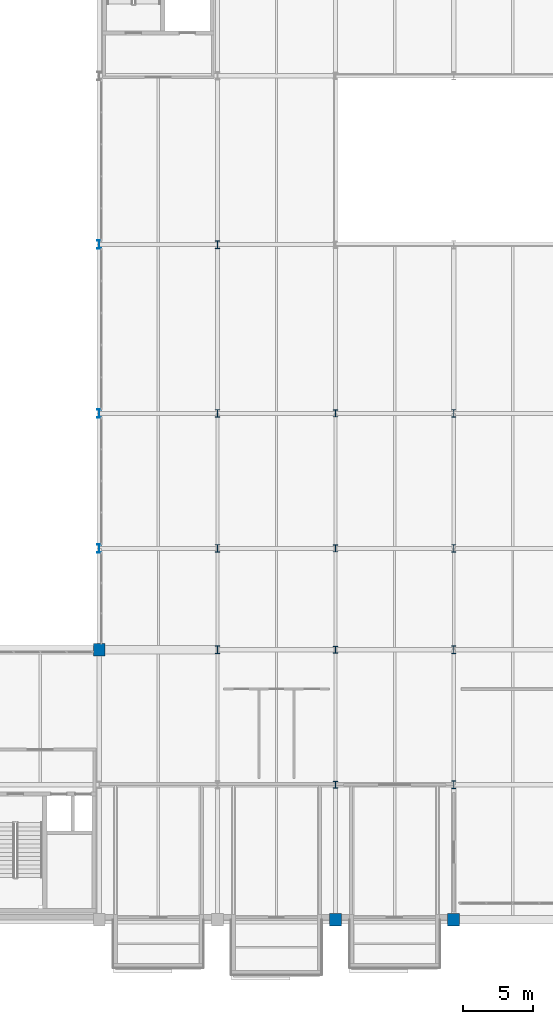
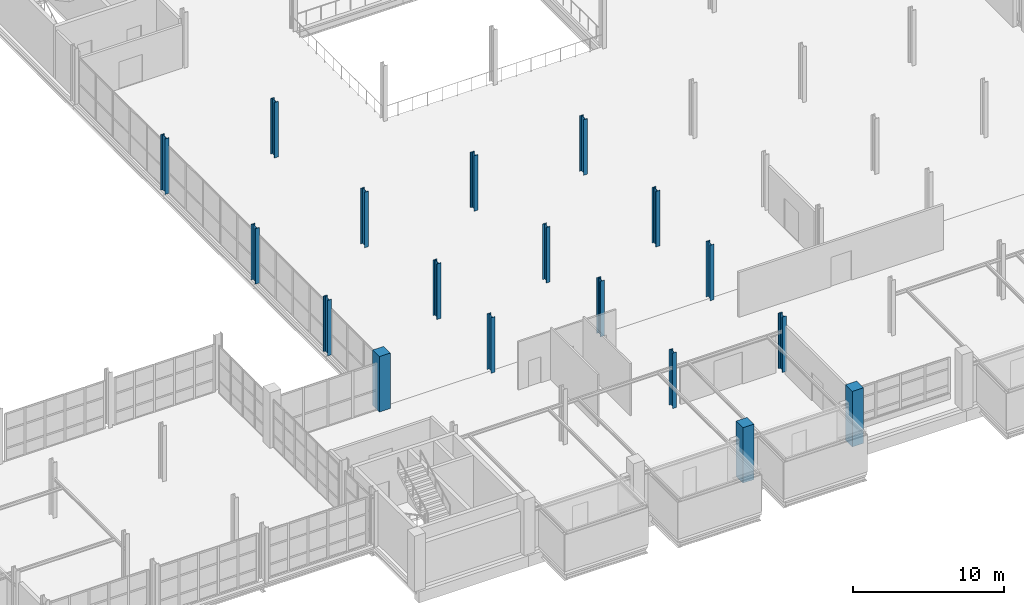
# One storey, part 2 of 109: 18 columns.
"""IFC4 building model written with IfcOpenShell, lengths in metres."""

from ifc_helpers import new_model, si_unit, direction, frame, origin, origin_2d, place, context, subcontext, project, spatial, rectangle, i_section, extrude, material, material_profile, profile_set, type_object, element, save


model = new_model("IFC4")

# Units and contexts
model_context = context("Model", 3, precision=1e-05, world=origin(), true_north=direction((0.0, 1.0)))
body_context = subcontext(model_context, "Body", "Model", "MODEL_VIEW")
ifc_project = project(units=[si_unit("LENGTHUNIT", "METRE"), si_unit("AREAUNIT", "SQUARE_METRE"), si_unit("VOLUMEUNIT", "CUBIC_METRE"), si_unit("PLANEANGLEUNIT", "RADIAN"), si_unit("MASSUNIT", "GRAM", prefix="KILO")], contexts=[model_context])

# Site, building, storey
site_placement = place(None, origin())
site = spatial("IfcSite", under=ifc_project, at=site_placement, CompositionType="ELEMENT")
building_placement = place(site_placement, origin())
building = spatial("IfcBuilding", under=site, at=building_placement, Name="Veltarok Museum of Natural Sciences", CompositionType="ELEMENT")
storey_placement = place(building_placement, frame((0.0, 0.0, 17.39990234375)))
storey = spatial("IfcBuildingStorey", under=building, at=storey_placement, Name="L03", CompositionType="ELEMENT", Elevation=17.39990234375)

# Columns
ifc_material_1 = material(Name="Concrete C40/50", Category="concrete")
ifc_material_profile_1 = material_profile(ifc_material_1, rectangle(XDim=0.85009765625, YDim=0.89990234375, at=origin_2d()), Name="RC 850x900")
ifc_profile_set_1 = profile_set([ifc_material_profile_1], Name="Concrete C40/50")
column_type_1 = type_object("IfcColumnType", Name="Exposed Cabinet Grid Column RC 850x900", PredefinedType="COLUMN", material=ifc_profile_set_1)
for number, where, z_axis, x_axis, name in (
    (1, (40.0, 19.199951171875, 0.0), (0.0, 0.0, 1.0), (1.0, 0.0, 0.0), "Column COL-CAB01 L03 5/C"),
    (2, (56.800048828125, 0.0, 0.0), (0.0, 0.0, 1.0), (1.0, 0.0, 0.0), "Column COL-CAB01 L03 7/A"),
    (3, (65.199951171875, 0.0, 0.0), (0.0, 0.0, 1.0), (1.0, 0.0, 0.0), "Column COL-CAB01 L03 8/A"),
):
    element("IfcColumn", number, at=place(storey_placement, frame(where, z_axis=z_axis, x_axis=x_axis)), inside=storey, type_object=column_type_1, Name=name, PredefinedType="COLUMN", context=body_context, shape_type="SweptSolid", body=[
        extrude(rectangle(XDim=0.85009765625, YDim=0.89990234375, at=origin_2d()), origin(), (0.0, 0.0, 1.0), 4.5),
    ])
ifc_material_2 = material(Name="Steel S355J2", Category="steel")
ifc_material_profile_2 = material_profile(ifc_material_2, i_section(OverallWidth=0.300048828125, OverallDepth=0.550048828125, WebThickness=0.014892578125, FlangeThickness=0.029052734375, FilletRadius=0.027099609375, at=origin_2d()), Name="HEB 550")
ifc_profile_set_2 = profile_set([ifc_material_profile_2], Name="Steel S355J2")
column_type_2 = type_object("IfcColumnType", Name="Mid-Rise Hall Column HEB 550", PredefinedType="COLUMN", material=ifc_profile_set_2)
for number, where, z_axis, x_axis, name in (
    (4, (48.39990234375, 19.199951171875, 0.0), (0.0, 0.0, 1.0), (1.0, 0.0, 0.0), "Column COL-S10 L03 6/C"),
    (5, (48.39990234375, 26.39990234375, 0.0), (0.0, 0.0, 1.0), (1.0, 0.0, 0.0), "Column COL-S10 L03 6/D"),
    (6, (48.39990234375, 36.0, 0.0), (0.0, 0.0, 1.0), (1.0, 0.0, 0.0), "Column COL-S10 L03 6/E"),
    (7, (48.39990234375, 48.0, 0.0), (0.0, 0.0, 1.0), (1.0, 0.0, 0.0), "Column COL-S10 L03 6/F"),
    (8, (65.199951171875, 9.60009765625, 0.0), (0.0, 0.0, 1.0), (1.0, 0.0, 0.0), "Column COL-S10 L03 8/B"),
    (9, (65.199951171875, 19.199951171875, 0.0), (0.0, 0.0, 1.0), (1.0, 0.0, 0.0), "Column COL-S10 L03 8/C"),
    (10, (65.199951171875, 26.39990234375, 0.0), (0.0, 0.0, 1.0), (1.0, 0.0, 0.0), "Column COL-S10 L03 8/D"),
    (11, (65.199951171875, 36.0, 0.0), (0.0, 0.0, 1.0), (1.0, 0.0, 0.0), "Column COL-S10 L03 8/E"),
):
    element("IfcColumn", number, at=place(storey_placement, frame(where, z_axis=z_axis, x_axis=x_axis)), inside=storey, type_object=column_type_2, Name=name, PredefinedType="COLUMN", context=body_context, shape_type="SweptSolid", body=[
        extrude(i_section(OverallWidth=0.300048828125, OverallDepth=0.550048828125, WebThickness=0.014892578125, FlangeThickness=0.029052734375, FilletRadius=0.027099609375, at=origin_2d()), origin(), (0.0, 0.0, 1.0), 4.5),
    ])
ifc_material_profile_3 = material_profile(ifc_material_2, i_section(OverallWidth=0.300048828125, OverallDepth=0.60009765625, WebThickness=0.015380859375, FlangeThickness=0.030029296875, FilletRadius=0.027099609375, at=origin_2d()), Name="HEB 600")
ifc_profile_set_3 = profile_set([ifc_material_profile_3], Name="Steel S355J2")
column_type_3 = type_object("IfcColumnType", Name="Perimeter Passage Column HEB 600", PredefinedType="COLUMN", material=ifc_profile_set_3)
for number, where, z_axis, x_axis, name in (
    (12, (40.0, 26.39990234375, 0.0), (0.0, 0.0, 1.0), (1.0, 0.0, 0.0), "Column COL-EXT02 L03 5/D"),
    (13, (40.0, 36.0, 0.0), (0.0, 0.0, 1.0), (1.0, 0.0, 0.0), "Column COL-EXT02 L03 5/E"),
    (14, (40.0, 48.0, 0.0), (0.0, 0.0, 1.0), (1.0, 0.0, 0.0), "Column COL-EXT02 L03 5/F"),
):
    element("IfcColumn", number, at=place(storey_placement, frame(where, z_axis=z_axis, x_axis=x_axis)), inside=storey, type_object=column_type_3, Name=name, PredefinedType="COLUMN", context=body_context, shape_type="SweptSolid", body=[
        extrude(i_section(OverallWidth=0.300048828125, OverallDepth=0.60009765625, WebThickness=0.015380859375, FlangeThickness=0.030029296875, FilletRadius=0.027099609375, at=origin_2d()), origin(), (0.0, 0.0, 1.0), 4.5),
    ])
ifc_material_profile_4 = material_profile(ifc_material_2, i_section(OverallWidth=0.300048828125, OverallDepth=0.5, WebThickness=0.014404296875, FlangeThickness=0.028076171875, FilletRadius=0.027099609375, at=origin_2d()), Name="HEB 500")
ifc_profile_set_4 = profile_set([ifc_material_profile_4], Name="Steel S355J2")
column_type_4 = type_object("IfcColumnType", Name="Upper Gallery Column HEB 500", PredefinedType="COLUMN", material=ifc_profile_set_4)
for number, where, z_axis, x_axis, name in (
    (15, (56.800048828125, 9.60009765625, 0.0), (0.0, 0.0, 1.0), (1.0, 0.0, 0.0), "Column COL-S05 L03 7/B"),
    (16, (56.800048828125, 19.199951171875, 0.0), (0.0, 0.0, 1.0), (1.0, 0.0, 0.0), "Column COL-S05 L03 7/C"),
    (17, (56.800048828125, 26.39990234375, 0.0), (0.0, 0.0, 1.0), (1.0, 0.0, 0.0), "Column COL-S05 L03 7/D"),
    (18, (56.800048828125, 36.0, 0.0), (0.0, 0.0, 1.0), (1.0, 0.0, 0.0), "Column COL-S05 L03 7/E"),
):
    element("IfcColumn", number, at=place(storey_placement, frame(where, z_axis=z_axis, x_axis=x_axis)), inside=storey, type_object=column_type_4, Name=name, PredefinedType="COLUMN", context=body_context, shape_type="SweptSolid", body=[
        extrude(i_section(OverallWidth=0.300048828125, OverallDepth=0.5, WebThickness=0.014404296875, FlangeThickness=0.028076171875, FilletRadius=0.027099609375, at=origin_2d()), origin(), (0.0, 0.0, 1.0), 4.5),
    ])

save(model, "model.ifc")
